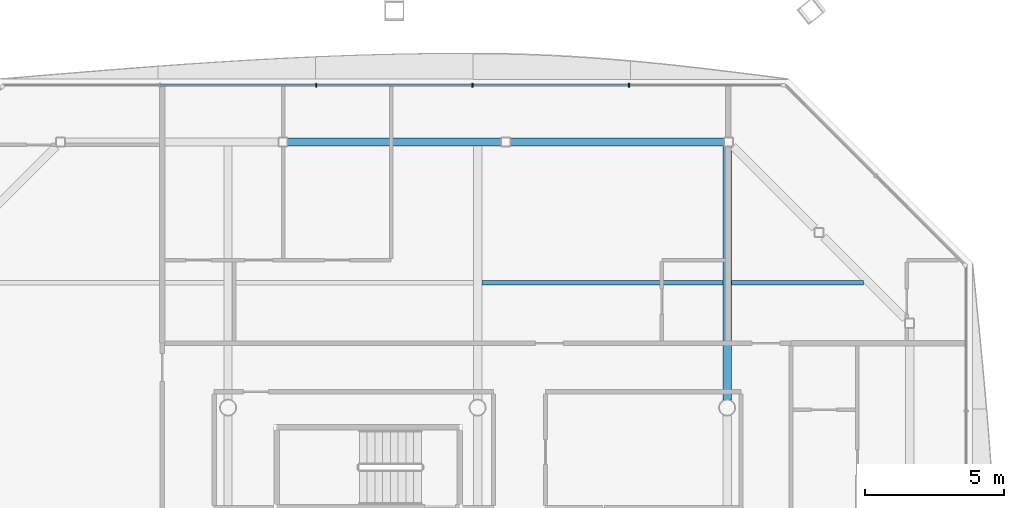
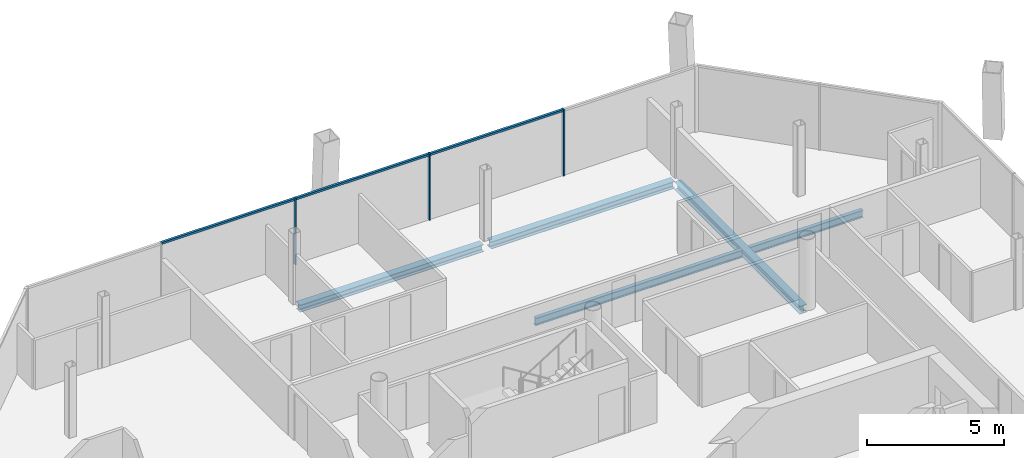
# One storey, part 11 of 20: 6 members, 5 beams, 1 element without a shape of its own.
"""IFC4 building model written with IfcOpenShell, lengths in metres."""

from ifc_helpers import new_model, si_unit, direction, frame, origin, origin_2d, place, context, subcontext, project, spatial, rectangle, i_section, extrude, material, material_profile, profile_set, type_object, element, aggregate, save


model = new_model("IFC4")

# Units and contexts
model_context = context("Model", 3, precision=1e-05, world=origin(), true_north=direction((0.0, 1.0)))
body_context = subcontext(model_context, "Body", "Model", "MODEL_VIEW")
ifc_project = project(units=[si_unit("LENGTHUNIT", "METRE"), si_unit("AREAUNIT", "SQUARE_METRE"), si_unit("VOLUMEUNIT", "CUBIC_METRE"), si_unit("PLANEANGLEUNIT", "RADIAN"), si_unit("MASSUNIT", "GRAM", prefix="KILO")], contexts=[model_context])

# Site, building, storey
site_placement = place(None, origin())
site = spatial("IfcSite", under=ifc_project, at=site_placement, CompositionType="ELEMENT")
building_placement = place(site_placement, origin())
building = spatial("IfcBuilding", under=site, at=building_placement, Name="Tskaro Facet Tower", CompositionType="ELEMENT")
storey_placement = place(building_placement, frame((0.0, 0.0, 187.949951171875)))
storey = spatial("IfcBuildingStorey", under=building, at=storey_placement, Name="L47", CompositionType="ELEMENT", Elevation=187.949951171875)

# Curtain wall, members
ifc_material_1 = material(Name="Bronze anodised aluminium 6063-T6", Category="aluminium")
curtain_wall_type = type_object("IfcCurtainWallType", Name="Bronze residence curtain wall (FW3)", PredefinedType="NOTDEFINED", material=ifc_material_1)
curtain_wall_placement = place(storey_placement, origin())
curtain_wall = element("IfcCurtainWall", 1, at=curtain_wall_placement, inside=storey, type_object=curtain_wall_type, Name="FW3 north facet L47", PredefinedType="NOTDEFINED")
ifc_material_profile_1 = material_profile(ifc_material_1, rectangle(XDim=0.050048828125, YDim=0.139892578125, at=origin_2d()), Name="Mullion 50x140")
ifc_profile_set_1 = profile_set([ifc_material_profile_1], Name="Bronze anodised aluminium 6063-T6")
member_type_1 = type_object("IfcMemberType", Name="FW3 bronze mullion 50x140", PredefinedType="MULLION", material=ifc_profile_set_1)
member_1_placement = place(storey_placement, frame((5.4599609375, 20.6279296875, 0.0), z_axis=(0.0, 0.0, 1.0), x_axis=(-1.0, 0.0, 0.0)))
member_1 = element("IfcMember", 2, at=member_1_placement, type_object=member_type_1, Name="FW3 north mullion 1", PredefinedType="MULLION", context=body_context, shape_type="SweptSolid", body=[
    extrude(rectangle(XDim=0.050048828125, YDim=0.139892578125, at=origin_2d()), origin(), (0.0, 0.0, 1.0), 2.949951171875),
])
member_2_placement = place(storey_placement, frame((-0.179931640625, 20.6279296875, 0.0), z_axis=(0.0, 0.0, 1.0), x_axis=(-1.0, 0.0, 0.0)))
member_2 = element("IfcMember", 3, at=member_2_placement, type_object=member_type_1, Name="FW3 north mullion 2", PredefinedType="MULLION", context=body_context, shape_type="SweptSolid", body=[
    extrude(rectangle(XDim=0.050048828125, YDim=0.139892578125, at=origin_2d()), origin(), (0.0, 0.0, 1.0), 2.949951171875),
])
member_3_placement = place(storey_placement, frame((-5.820068359375, 20.6279296875, 0.0), z_axis=(0.0, 0.0, 1.0), x_axis=(-1.0, 0.0, 0.0)))
member_3 = element("IfcMember", 4, at=member_3_placement, type_object=member_type_1, Name="FW3 north mullion 3", PredefinedType="MULLION", context=body_context, shape_type="SweptSolid", body=[
    extrude(rectangle(XDim=0.050048828125, YDim=0.139892578125, at=origin_2d()), origin(), (0.0, 0.0, 1.0), 2.949951171875),
])
ifc_material_profile_2 = material_profile(ifc_material_1, rectangle(XDim=0.10009765625, YDim=0.090087890625, at=origin_2d()), Name="Transom 100x90")
ifc_profile_set_2 = profile_set([ifc_material_profile_2], Name="Bronze anodised aluminium 6063-T6")
member_type_2 = type_object("IfcMemberType", Name="FW3 bronze transom 100x90", PredefinedType="USERDEFINED", material=ifc_profile_set_2)
member_4_placement = place(storey_placement, frame((5.43505859375, 20.6279296875, 2.905029296875), z_axis=(-1.0, 0.0, 0.0), x_axis=(0.0, -1.0, 0.0)))
member_4 = element("IfcMember", 5, at=member_4_placement, type_object=member_type_2, Name="FW3 north transom 2.1", ObjectType="TRANSOM", PredefinedType="USERDEFINED", context=body_context, shape_type="SweptSolid", body=[
    extrude(rectangle(XDim=0.10009765625, YDim=0.090087890625, at=origin_2d()), origin(), (0.0, 0.0, 1.0), 5.590087890625),
])
member_5_placement = place(storey_placement, frame((-0.205078125, 20.6279296875, 2.905029296875), z_axis=(-1.0, 0.0, 0.0), x_axis=(0.0, -1.0, 0.0)))
member_5 = element("IfcMember", 6, at=member_5_placement, type_object=member_type_2, Name="FW3 north transom 3.1", ObjectType="TRANSOM", PredefinedType="USERDEFINED", context=body_context, shape_type="SweptSolid", body=[
    extrude(rectangle(XDim=0.10009765625, YDim=0.090087890625, at=origin_2d()), origin(), (0.0, 0.0, 1.0), 5.58984375),
])
member_6_placement = place(storey_placement, frame((-5.844970703125, 20.6279296875, 2.905029296875), z_axis=(-1.0, 0.0, 0.0), x_axis=(0.0, -1.0, 0.0)))
member_6 = element("IfcMember", 7, at=member_6_placement, type_object=member_type_2, Name="FW3 north transom 4.1", ObjectType="TRANSOM", PredefinedType="USERDEFINED", context=body_context, shape_type="SweptSolid", body=[
    extrude(rectangle(XDim=0.10009765625, YDim=0.090087890625, at=origin_2d()), origin(), (0.0, 0.0, 1.0), 5.590087890625),
])
aggregate(curtain_wall, [member_1, member_2, member_3, member_4, member_5, member_6])

# Beams
ifc_material_2 = material(Name="Steel S355J2", Category="steel")
ifc_material_profile_3 = material_profile(ifc_material_2, i_section(OverallWidth=0.300048828125, OverallDepth=0.320068359375, WebThickness=0.011474609375, FlangeThickness=0.0205078125, FilletRadius=0.027099609375, at=origin_2d()), Name="HE 320 B")
ifc_profile_set_3 = profile_set([ifc_material_profile_3], Name="Steel S355J2")
beam_type_1 = type_object("IfcBeamType", Name="HE 320 B ring beam", PredefinedType="BEAM", material=ifc_profile_set_3)
beam_1_placement = place(storey_placement, frame((8.89111328125, 18.5830078125, -0.300048828125), z_axis=(-1.0, 0.0, 0.0), x_axis=(0.0, -1.0, 0.0)))
element("IfcBeam", 8, at=beam_1_placement, inside=storey, type_object=beam_type_1, Name="HE 320 B EB12-4", PredefinedType="BEAM", context=body_context, shape_type="SweptSolid", body=[
    extrude(i_section(OverallWidth=0.300048828125, OverallDepth=0.320068359375, WebThickness=0.011474609375, FlangeThickness=0.0205078125, FilletRadius=0.027099609375, at=origin_2d()), origin(), (0.0, 0.0, 1.0), 7.72119140625),
])
beam_2_placement = place(storey_placement, frame((0.860107421875, 18.5830078125, -0.300048828125), z_axis=(-1.0, 0.0, 0.0), x_axis=(0.0, -1.0, 0.0)))
element("IfcBeam", 9, at=beam_2_placement, inside=storey, type_object=beam_type_1, Name="HE 320 B EB13-4", PredefinedType="BEAM", context=body_context, shape_type="SweptSolid", body=[
    extrude(i_section(OverallWidth=0.300048828125, OverallDepth=0.320068359375, WebThickness=0.011474609375, FlangeThickness=0.0205078125, FilletRadius=0.027099609375, at=origin_2d()), origin(), (0.0, 0.0, 1.0), 7.72021484375),
])
ifc_material_profile_4 = material_profile(ifc_material_2, i_section(OverallWidth=0.300048828125, OverallDepth=0.35009765625, WebThickness=0.010009765625, FlangeThickness=0.017578125, FilletRadius=0.027099609375, at=origin_2d()), Name="HE 360 A")
ifc_profile_set_4 = profile_set([ifc_material_profile_4], Name="Steel S355J2")
beam_type_2 = type_object("IfcBeamType", Name="HE 360 A girder", PredefinedType="BEAM", material=ifc_profile_set_4)
beam_3_placement = place(storey_placement, frame((9.0, 9.27490234375, -0.31494140625), z_axis=(0.0, 1.0, 0.0), x_axis=(-1.0, 0.0, 0.0)))
element("IfcBeam", 10, at=beam_3_placement, inside=storey, type_object=beam_type_2, Name="HE 360 A GB5-3-4", PredefinedType="BEAM", context=body_context, shape_type="SweptSolid", body=[
    extrude(i_section(OverallWidth=0.300048828125, OverallDepth=0.35009765625, WebThickness=0.010009765625, FlangeThickness=0.017578125, FilletRadius=0.027099609375, at=origin_2d()), origin(), (0.0, 0.0, 1.0), 9.14208984375),
])
ifc_material_profile_5 = material_profile(ifc_material_2, i_section(OverallWidth=0.159912109375, OverallDepth=0.330078125, WebThickness=0.007568359375, FlangeThickness=0.011474609375, FilletRadius=0.01806640625, at=origin_2d()), Name="IPE 330")
ifc_profile_set_5 = profile_set([ifc_material_profile_5], Name="Steel S355J2")
beam_type_3 = type_object("IfcBeamType", Name="IPE 330 secondary beam", PredefinedType="BEAM", material=ifc_profile_set_5)
beam_4_placement = place(storey_placement, frame((0.14990234375, 13.5, -0.304931640625), z_axis=(1.0, 0.0, 0.0), x_axis=(0.0, 1.0, 0.0)))
element("IfcBeam", 11, at=beam_4_placement, inside=storey, type_object=beam_type_3, Name="IPE 330 SB5a-4-4", PredefinedType="BEAM", context=body_context, shape_type="SweptSolid", body=[
    extrude(i_section(OverallWidth=0.159912109375, OverallDepth=0.330078125, WebThickness=0.007568359375, FlangeThickness=0.011474609375, FilletRadius=0.01806640625, at=origin_2d()), origin(), (0.0, 0.0, 1.0), 8.7001953125),
])
beam_5_placement = place(storey_placement, frame((9.14990234375, 13.5, -0.304931640625), z_axis=(1.0, 0.0, 0.0), x_axis=(0.0, 1.0, 0.0)))
element("IfcBeam", 12, at=beam_5_placement, inside=storey, type_object=beam_type_3, Name="IPE 330 SB5a-5-4", PredefinedType="BEAM", context=body_context, shape_type="SweptSolid", body=[
    extrude(i_section(OverallWidth=0.159912109375, OverallDepth=0.330078125, WebThickness=0.007568359375, FlangeThickness=0.011474609375, FilletRadius=0.01806640625, at=origin_2d()), origin(), (0.0, 0.0, 1.0), 4.76708984375),
])

save(model, "model.ifc")
